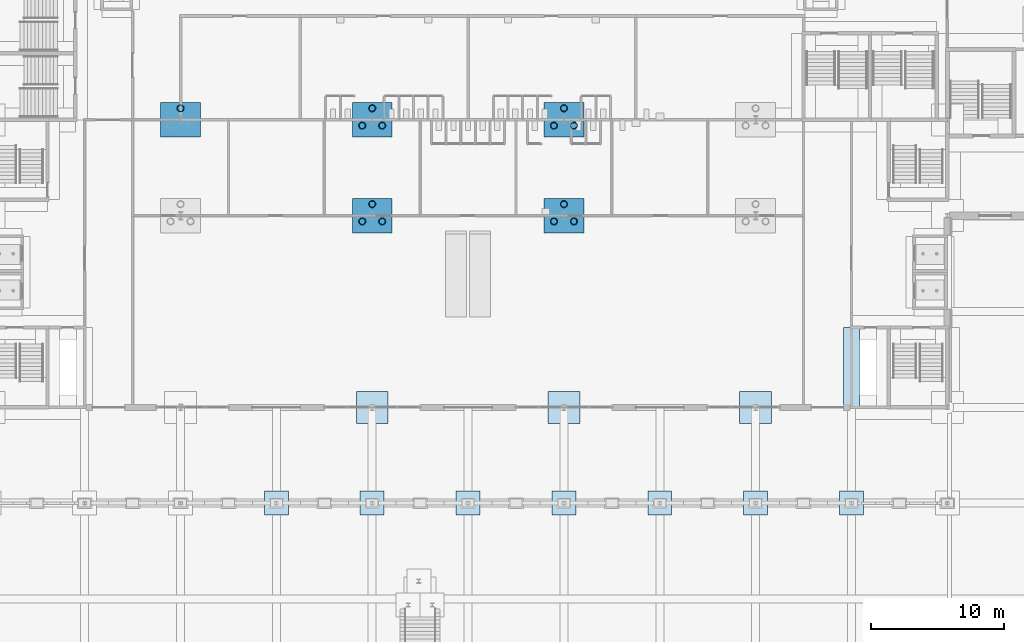
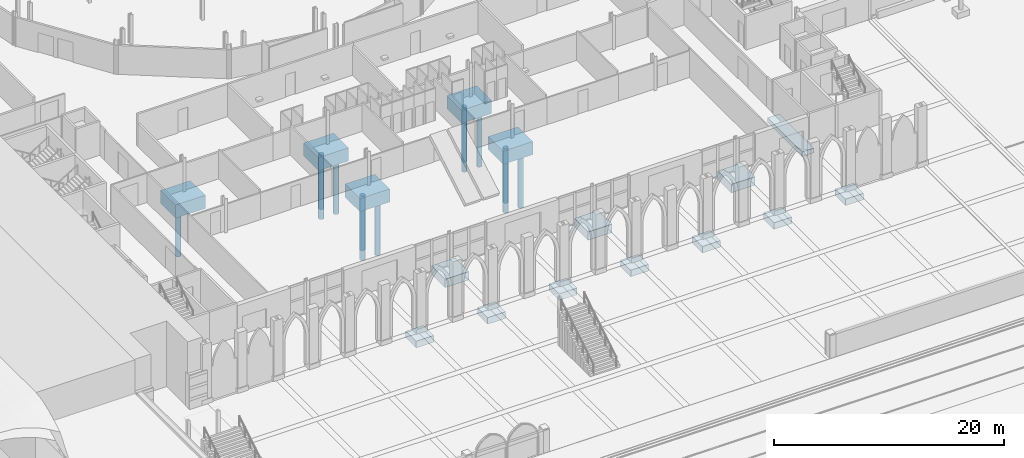
# One storey, part 2 of 148: 16 footings, 13 piles.
"""IFC4 building model written with IfcOpenShell, lengths in metres."""

from ifc_helpers import new_model, si_unit, direction, frame, origin, origin_2d, place, context, subcontext, project, spatial, rectangle, hollow_circle, extrude, material, layer, layer_set, material_profile, profile_set, type_object, element, save


model = new_model("IFC4")

# Units and contexts
model_context = context("Model", 3, precision=1e-05, world=origin(), true_north=direction((0.0, 1.0)))
body_context = subcontext(model_context, "Body", "Model", "MODEL_VIEW")
ifc_project = project(units=[si_unit("LENGTHUNIT", "METRE"), si_unit("AREAUNIT", "SQUARE_METRE"), si_unit("VOLUMEUNIT", "CUBIC_METRE"), si_unit("PLANEANGLEUNIT", "RADIAN"), si_unit("MASSUNIT", "GRAM", prefix="KILO")], contexts=[model_context])

# Site, building, storey
site_placement = place(None, origin())
site = spatial("IfcSite", under=ifc_project, at=site_placement, CompositionType="ELEMENT")
building_placement = place(site_placement, origin())
building = spatial("IfcBuilding", under=site, at=building_placement, Name="Kupolbacken Congress Centre", CompositionType="ELEMENT")
storey_placement = place(building_placement, origin())
storey = spatial("IfcBuildingStorey", under=building, at=storey_placement, Name="L00", CompositionType="ELEMENT", Elevation=0.0)

# Footings
ifc_material_1 = material(Name="Concrete C30/37", Category="concrete")
ifc_layer_1 = layer(ifc_material_1, 1.39990234375)
ifc_layer_set_1 = layer_set([ifc_layer_1], Name="Concrete C30/37")
footing_type_1 = type_object("IfcFootingType", Name="PC5 pile cap 3.00 x 2.60 x 1.40 m", PredefinedType="PILE_CAP", material=ifc_layer_set_1)
for number, where, z_axis, x_axis, name in (
    (1, (21.60009765625, 50.39990234375, -1.699951171875), (0.0, 0.0, 1.0), (1.0, 0.0, 0.0), "S/fnd/C-F-4H/cap"),
    (2, (36.0, 43.199951171875, -1.699951171875), (0.0, 0.0, 1.0), (1.0, 0.0, 0.0), "S/fnd/C-F-6G/cap"),
    (3, (36.0, 50.39990234375, -1.699951171875), (0.0, 0.0, 1.0), (1.0, 0.0, 0.0), "S/fnd/C-F-6H/cap"),
    (4, (50.39990234375, 43.199951171875, -1.699951171875), (0.0, 0.0, 1.0), (1.0, 0.0, 0.0), "S/fnd/C-F-8G/cap"),
    (5, (50.39990234375, 50.39990234375, -1.699951171875), (0.0, 0.0, 1.0), (1.0, 0.0, 0.0), "S/fnd/C-F-8H/cap"),
):
    element("IfcFooting", number, at=place(storey_placement, frame(where, z_axis=z_axis, x_axis=x_axis)), inside=storey, type_object=footing_type_1, Name=name, PredefinedType="PILE_CAP", context=body_context, shape_type="SweptSolid", body=[
        extrude(rectangle(XDim=3.0, YDim=2.60009765625, at=origin_2d()), origin(), (0.0, 0.0, 1.0), 1.39990234375),
    ])
ifc_material_2 = material(Name="Concrete C30/37", Category="concrete")
ifc_layer_2 = layer(ifc_material_2, 0.89990234375)
ifc_layer_set_2 = layer_set([ifc_layer_2], Name="Concrete C30/37")
footing_type_2 = type_object("IfcFootingType", Name="PD1 pad footing 2.40 x 2.40 x 0.90 m", PredefinedType="PAD_FOOTING", material=ifc_layer_set_2)
for number, where, z_axis, x_axis, name in (
    (6, (36.0, 28.800048828125, -1.199951171875), (0.0, 0.0, 1.0), (1.0, 0.0, 0.0), "S/fnd/C-F-6E"),
    (7, (50.39990234375, 28.800048828125, -1.199951171875), (0.0, 0.0, 1.0), (1.0, 0.0, 0.0), "S/fnd/C-F-8E"),
    (8, (64.800048828125, 28.800048828125, -1.199951171875), (0.0, 0.0, 1.0), (1.0, 0.0, 0.0), "S/fnd/C-F-10E"),
):
    element("IfcFooting", number, at=place(storey_placement, frame(where, z_axis=z_axis, x_axis=x_axis)), inside=storey, type_object=footing_type_2, Name=name, PredefinedType="PAD_FOOTING", context=body_context, shape_type="SweptSolid", body=[
        extrude(rectangle(XDim=2.39990234375, YDim=2.39990234375, at=origin_2d()), origin(), (0.0, 0.0, 1.0), 0.89990234375),
    ])
ifc_material_3 = material(Name="Concrete C30/37", Category="concrete")
ifc_layer_3 = layer(ifc_material_3, 0.699951171875)
ifc_layer_set_3 = layer_set([ifc_layer_3], Name="Concrete C30/37")
footing_type_3 = type_object("IfcFootingType", Name="PD4 pad footing 1.80 x 1.80 x 0.70 m", PredefinedType="PAD_FOOTING", material=ifc_layer_set_3)
for number, where, z_axis, x_axis, name in (
    (9, (28.800048828125, 21.60009765625, -1.0), (0.0, 0.0, 1.0), (1.0, 0.0, 0.0), "S/fnd/C-AR-5"),
    (10, (36.0, 21.60009765625, -1.0), (0.0, 0.0, 1.0), (1.0, 0.0, 0.0), "S/fnd/C-AR-6"),
    (11, (43.199951171875, 21.60009765625, -1.0), (0.0, 0.0, 1.0), (1.0, 0.0, 0.0), "S/fnd/C-AR-7"),
    (12, (50.39990234375, 21.60009765625, -1.0), (0.0, 0.0, 1.0), (1.0, 0.0, 0.0), "S/fnd/C-AR-8"),
    (13, (57.60009765625, 21.60009765625, -1.0), (0.0, 0.0, 1.0), (1.0, 0.0, 0.0), "S/fnd/C-AR-9"),
    (14, (64.800048828125, 21.60009765625, -1.0), (0.0, 0.0, 1.0), (1.0, 0.0, 0.0), "S/fnd/C-AR-10"),
    (15, (72.0, 21.60009765625, -1.0), (0.0, 0.0, 1.0), (1.0, 0.0, 0.0), "S/fnd/C-AR-11"),
):
    element("IfcFooting", number, at=place(storey_placement, frame(where, z_axis=z_axis, x_axis=x_axis)), inside=storey, type_object=footing_type_3, Name=name, PredefinedType="PAD_FOOTING", context=body_context, shape_type="SweptSolid", body=[
        extrude(rectangle(XDim=1.800048828125, YDim=1.800048828125, at=origin_2d()), origin(), (0.0, 0.0, 1.0), 0.699951171875),
    ])

# Piles
ifc_material_4 = material(Name="Steel S355", Category="steel")
ifc_material_profile = material_profile(ifc_material_4, hollow_circle(Radius=0.25390625, WallThickness=0.02001953125, at=origin_2d()), Name="CHS 508 x 20")
ifc_profile_set = profile_set([ifc_material_profile], Name="Steel S355")
pile_type = type_object("IfcPileType", Name="PL3 steel tube pile CHS 508 x 20", PredefinedType="BORED", material=ifc_profile_set)
for number, where, z_axis, x_axis, name in (
    (16, (21.60009765625, 51.265380859375, -1.699951171875), (0.0, 0.0, -1.0), (1.0, 0.0, 0.0), "S/fnd/C-F-4H/pile3"),
    (17, (35.25, 42.7666015625, -1.699951171875), (0.0, 0.0, -1.0), (1.0, 0.0, 0.0), "S/fnd/C-F-6G/pile1"),
    (18, (36.75, 42.7666015625, -1.699951171875), (0.0, 0.0, -1.0), (1.0, 0.0, 0.0), "S/fnd/C-F-6G/pile2"),
    (19, (36.0, 44.0654296875, -1.699951171875), (0.0, 0.0, -1.0), (1.0, 0.0, 0.0), "S/fnd/C-F-6G/pile3"),
    (20, (35.25, 49.966552734375, -1.699951171875), (0.0, 0.0, -1.0), (1.0, 0.0, 0.0), "S/fnd/C-F-6H/pile1"),
    (21, (36.75, 49.966552734375, -1.699951171875), (0.0, 0.0, -1.0), (1.0, 0.0, 0.0), "S/fnd/C-F-6H/pile2"),
    (22, (36.0, 51.265380859375, -1.699951171875), (0.0, 0.0, -1.0), (1.0, 0.0, 0.0), "S/fnd/C-F-6H/pile3"),
    (23, (49.64990234375, 42.7666015625, -1.699951171875), (0.0, 0.0, -1.0), (1.0, 0.0, 0.0), "S/fnd/C-F-8G/pile1"),
    (24, (51.14990234375, 42.7666015625, -1.699951171875), (0.0, 0.0, -1.0), (1.0, 0.0, 0.0), "S/fnd/C-F-8G/pile2"),
    (25, (50.39990234375, 44.0654296875, -1.699951171875), (0.0, 0.0, -1.0), (1.0, 0.0, 0.0), "S/fnd/C-F-8G/pile3"),
    (26, (49.64990234375, 49.966552734375, -1.699951171875), (0.0, 0.0, -1.0), (1.0, 0.0, 0.0), "S/fnd/C-F-8H/pile1"),
    (27, (51.14990234375, 49.966552734375, -1.699951171875), (0.0, 0.0, -1.0), (1.0, 0.0, 0.0), "S/fnd/C-F-8H/pile2"),
    (28, (50.39990234375, 51.265380859375, -1.699951171875), (0.0, 0.0, -1.0), (1.0, 0.0, 0.0), "S/fnd/C-F-8H/pile3"),
):
    element("IfcPile", number, at=place(storey_placement, frame(where, z_axis=z_axis, x_axis=x_axis)), inside=storey, type_object=pile_type, Name=name, PredefinedType="BORED", context=body_context, shape_type="SweptSolid", body=[
        extrude(hollow_circle(Radius=0.25390625, WallThickness=0.02001953125, at=origin_2d()), origin(), (0.0, 0.0, 1.0), 5.800048828125),
    ])

# Footing
ifc_material_5 = material(Name="Concrete C30/37", Category="concrete")
ifc_layer_4 = layer(ifc_material_5, 0.5)
ifc_layer_set_4 = layer_set([ifc_layer_4], Name="Concrete C30/37")
footing_type_4 = type_object("IfcFootingType", Name="SF1 strip footing 1.20 x 0.50 m", PredefinedType="STRIP_FOOTING", material=ifc_layer_set_4)
footing_placement = place(storey_placement, frame((72.0, 31.800048828125, -0.800048828125), z_axis=(0.0, 0.0, 1.0), x_axis=(0.0, 1.0, 0.0)))
element("IfcFooting", 29, at=footing_placement, inside=storey, type_object=footing_type_4, Name="S/fnd/core/010", PredefinedType="STRIP_FOOTING", context=body_context, shape_type="SweptSolid", body=[
    extrude(rectangle(XDim=6.0, YDim=1.199951171875, at=origin_2d()), origin(), (0.0, 0.0, 1.0), 0.5),
])

save(model, "model.ifc")
